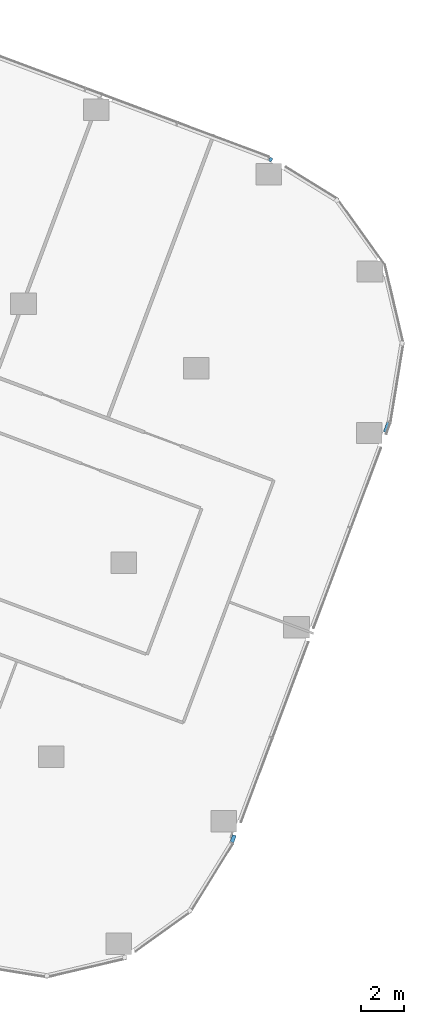
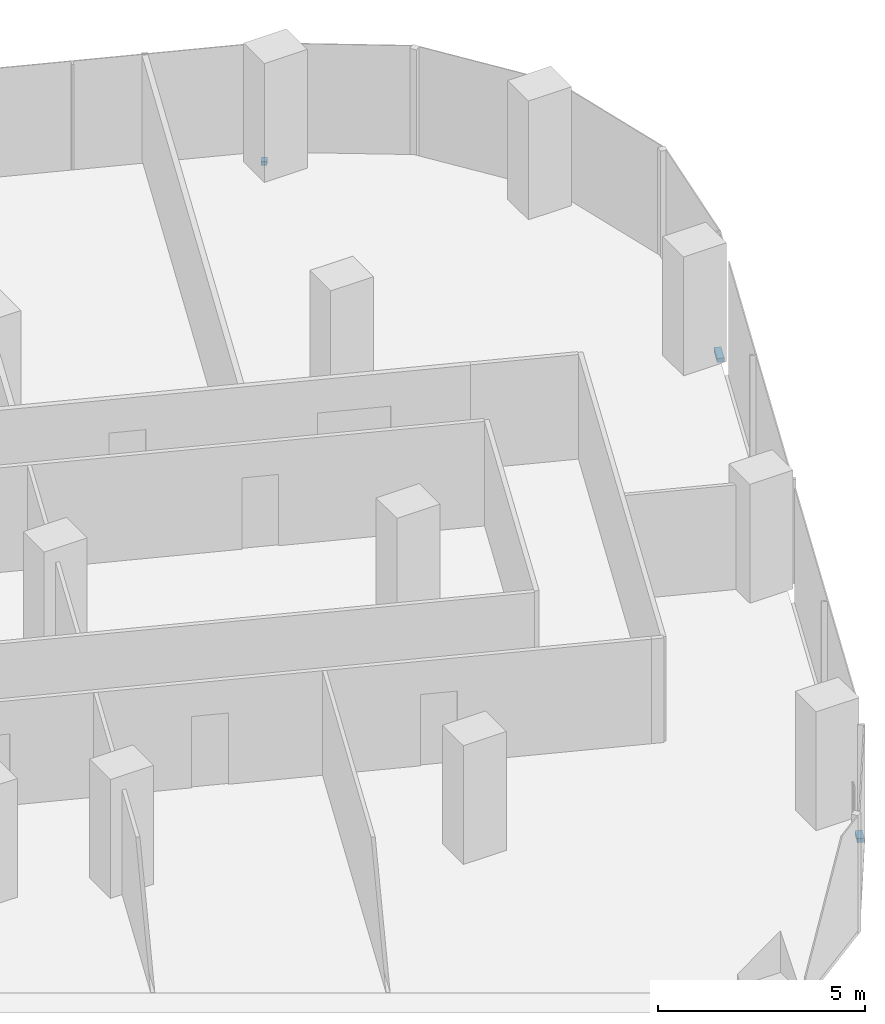
# One storey, part 15 of 31: 3 members, 2 elements without a shape of their own.
"""IFC4 building model written with IfcOpenShell, lengths in metres."""

from ifc_helpers import new_model, si_unit, direction, frame, origin, origin_2d, place, context, subcontext, project, spatial, rectangle, extrude, material, material_profile, profile_set, type_object, element, aggregate, save


model = new_model("IFC4")

# Units and contexts
model_context = context("Model", 3, precision=1e-05, world=origin(), true_north=direction((0.0, 1.0)))
body_context = subcontext(model_context, "Body", "Model", "MODEL_VIEW")
ifc_project = project(units=[si_unit("LENGTHUNIT", "METRE"), si_unit("AREAUNIT", "SQUARE_METRE"), si_unit("VOLUMEUNIT", "CUBIC_METRE"), si_unit("PLANEANGLEUNIT", "RADIAN"), si_unit("MASSUNIT", "GRAM", prefix="KILO")], contexts=[model_context])

# Site, building, storey
site_placement = place(None, origin())
site = spatial("IfcSite", under=ifc_project, at=site_placement, CompositionType="ELEMENT")
building_placement = place(site_placement, origin())
building = spatial("IfcBuilding", under=site, at=building_placement, Name="Orlundy Tower", CompositionType="ELEMENT")
storey_placement = place(building_placement, frame((0.0, 0.0, 84.199951171875)))
storey = spatial("IfcBuildingStorey", under=building, at=storey_placement, Name="L20", CompositionType="ELEMENT", Elevation=84.199951171875)

# Curtain wall, member
ifc_material_1 = material(Name="Aluminium bronze anodised", Category="aluminium")
curtain_wall_type = type_object("IfcCurtainWallType", Name="CW1 wall", PredefinedType="NOTDEFINED", material=ifc_material_1)
curtain_wall_1_placement = place(storey_placement, origin())
curtain_wall_1 = element("IfcCurtainWall", 1, at=curtain_wall_1_placement, inside=storey, type_object=curtain_wall_type, Name="CW1 run 07", PredefinedType="NOTDEFINED")
ifc_material_2 = material(Name="Aluminium bronze anodised", Category="aluminium")
ifc_material_profile = material_profile(ifc_material_2, rectangle(XDim=0.179931640625, YDim=0.1201171875, at=origin_2d()), Name="CW1 transom 180x120")
ifc_profile_set = profile_set([ifc_material_profile], Name="Aluminium bronze anodised")
member_type = type_object("IfcMemberType", Name="CW1 transom 180x120", PredefinedType="USERDEFINED", material=ifc_profile_set)
member_1_placement = place(storey_placement, frame((53.899169921875, 1.291015625, -0.33984375), z_axis=(0.850797997359, -0.525492880722, 0.0), x_axis=(0.525492880722, 0.850797997359, 0.0)))
member_1 = element("IfcMember", 2, at=member_1_placement, type_object=member_type, Name="CW1 transom", ObjectType="TRANSOM", PredefinedType="USERDEFINED", context=body_context, shape_type="SweptSolid", body=[
    extrude(rectangle(XDim=0.179931640625, YDim=0.1201171875, at=origin_2d()), origin(), (0.0, 0.0, 1.0), 0.146240234375),
])
aggregate(curtain_wall_1, [member_1])

# Curtain wall, members
curtain_wall_2_placement = place(storey_placement, origin())
curtain_wall_2 = element("IfcCurtainWall", 3, at=curtain_wall_2_placement, inside=storey, type_object=curtain_wall_type, Name="CW1 run 011", PredefinedType="NOTDEFINED")
member_2_placement = place(storey_placement, frame((59.487548828125, -11.048828125, -0.33984375), z_axis=(-0.350299507683, -0.936637739426, 0.0), x_axis=(0.936637739426, -0.350299507683, 0.0)))
member_2 = element("IfcMember", 4, at=member_2_placement, type_object=member_type, Name="CW1 transom", ObjectType="TRANSOM", PredefinedType="USERDEFINED", context=body_context, shape_type="SweptSolid", body=[
    extrude(rectangle(XDim=0.179931640625, YDim=0.1201171875, at=origin_2d()), origin(), (0.0, 0.0, 1.0), 0.487060546875),
])
member_3_placement = place(storey_placement, frame((52.2666015625, -30.363037109375, -0.33984375), z_axis=(-0.350198501228, -0.936675509308, 0.0), x_axis=(0.936675509308, -0.350198501228, 0.0)))
member_3 = element("IfcMember", 5, at=member_3_placement, type_object=member_type, Name="CW1 transom", ObjectType="TRANSOM", PredefinedType="USERDEFINED", context=body_context, shape_type="SweptSolid", body=[
    extrude(rectangle(XDim=0.179931640625, YDim=0.1201171875, at=origin_2d()), origin(), (0.0, 0.0, 1.0), 0.34716796875),
])
aggregate(curtain_wall_2, [member_2, member_3])

save(model, "model.ifc")
